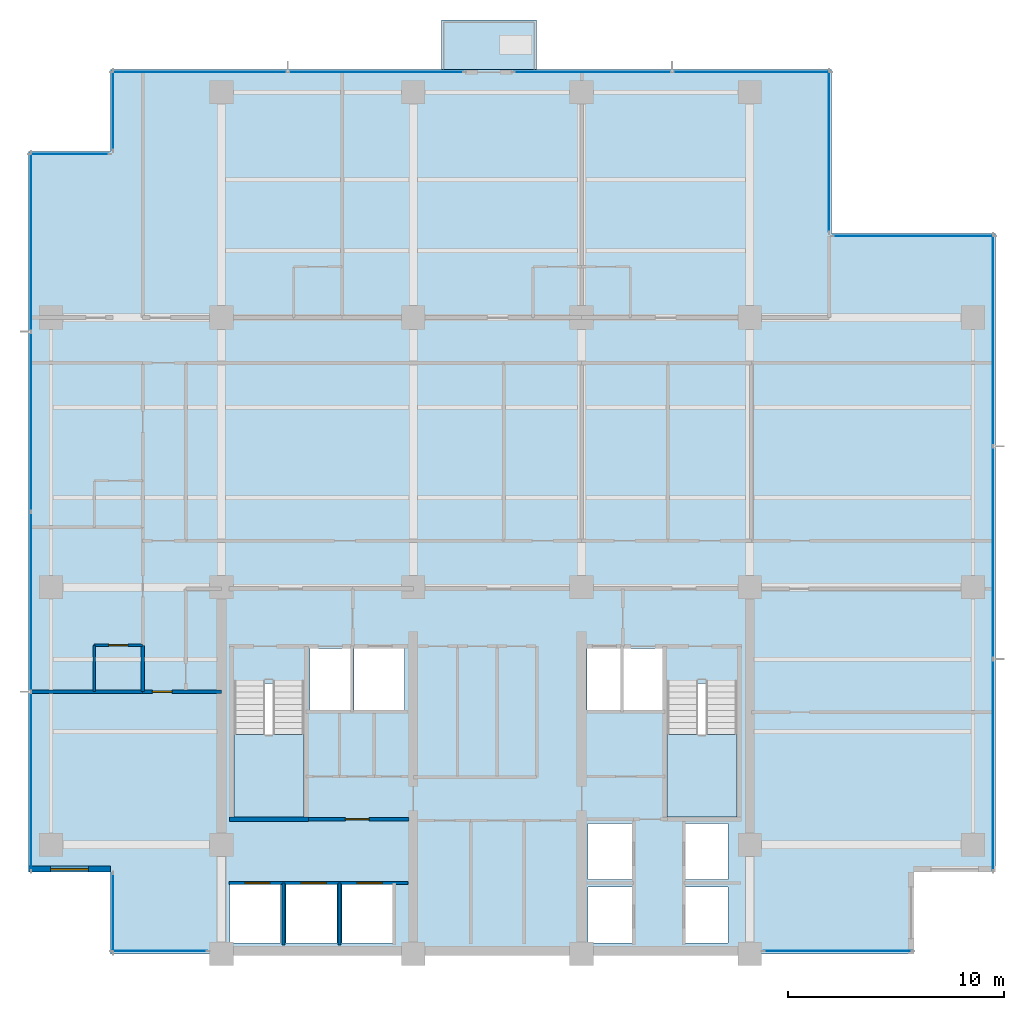
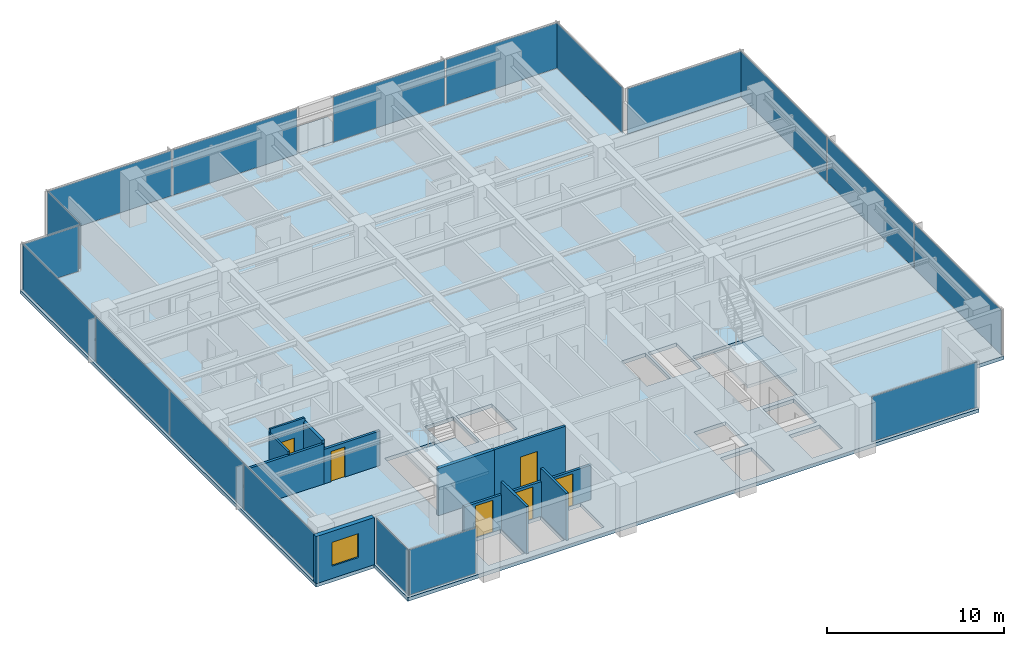
# One storey, part 6 of 15: 18 plates, 11 walls, 6 doors, 4 slabs, 1 window, 7 openings, 13 elements without a shape of their own.
"""IFC4 building model written with IfcOpenShell, lengths in metres."""

from ifc_helpers import new_model, si_unit, direction, frame, frame_2d, origin, origin_2d, place, context, subcontext, project, spatial, polyline, rectangle, outline, extrude, material, layer, layer_set, type_object, element, fill, aggregate, save


model = new_model("IFC4")

# Units and contexts
model_context = context("Model", 3, precision=1e-05, world=origin(), true_north=direction((0.0, 1.0)))
body_context = subcontext(model_context, "Body", "Model", "MODEL_VIEW")
ifc_project = project(units=[si_unit("LENGTHUNIT", "METRE"), si_unit("AREAUNIT", "SQUARE_METRE"), si_unit("VOLUMEUNIT", "CUBIC_METRE"), si_unit("PLANEANGLEUNIT", "RADIAN"), si_unit("MASSUNIT", "GRAM", prefix="KILO")], contexts=[model_context])

# Site, building, storey
site_placement = place(None, origin())
site = spatial("IfcSite", under=ifc_project, at=site_placement, CompositionType="ELEMENT")
building_placement = place(site_placement, origin())
building = spatial("IfcBuilding", under=site, at=building_placement, Name="Qalmaran Belvedere Hotel", CompositionType="ELEMENT")
storey_placement = place(building_placement, frame((0.0, 0.0, 159.60009765625)))
storey = spatial("IfcBuildingStorey", under=building, at=storey_placement, Name="L40", CompositionType="ELEMENT", Elevation=159.60009765625)

# Curtain wall, plate
ifc_material_1 = material(Name="Anodised Bronze Aluminium", Category="aluminium")
ifc_layer_1 = layer(ifc_material_1, 0.195068359375, Name="Anodised Bronze Aluminium")
ifc_layer_set_1 = layer_set([ifc_layer_1], Name="Anodised Bronze Aluminium")
curtain_wall_type = type_object("IfcCurtainWallType", Name="CW4-TOWER-HIGHMID", PredefinedType="NOTDEFINED", material=ifc_layer_set_1)
curtain_wall_1_placement = place(storey_placement, origin())
curtain_wall_1 = element("IfcCurtainWall", 1, at=curtain_wall_1_placement, inside=storey, type_object=curtain_wall_type, Name="L40 Curtain Wall CW4", PredefinedType="NOTDEFINED")
ifc_material_2 = material(Name="Solar-Control Double Glazing", Category="glass")
ifc_layer_2 = layer(ifc_material_2, 0.028076171875, Name="Solar-Control Double Glazing")
ifc_layer_set_2 = layer_set([ifc_layer_2], Name="Solar-Control Double Glazing")
plate_type = type_object("IfcPlateType", Name="CWP-VISION-28", PredefinedType="CURTAIN_PANEL", material=ifc_layer_set_2)
plate_1_placement = place(storey_placement, frame((17.429931640625, 3.6201171875, 0.06494140625), z_axis=(0.0, 0.0, 1.0), x_axis=(1.0, 0.0, 0.0)))
plate_1 = element("IfcPlate", 2, at=plate_1_placement, type_object=plate_type, Name="CW4 panel 1.1", PredefinedType="CURTAIN_PANEL", context=body_context, shape_type="SweptSolid", body=[
    extrude(rectangle(XDim=4.419921875, YDim=0.028076171875, at=origin_2d()), origin(), (0.0, 0.0, 1.0), 3.1201171875),
])
aggregate(curtain_wall_1, [plate_1])

curtain_wall_2_placement = place(storey_placement, origin())
curtain_wall_2 = element("IfcCurtainWall", 3, at=curtain_wall_2_placement, inside=storey, type_object=curtain_wall_type, Name="L40 Curtain Wall CW4", PredefinedType="NOTDEFINED")
plate_2_placement = place(storey_placement, frame((48.89501953125, 3.6201171875, 0.06494140625), z_axis=(0.0, 0.0, 1.0), x_axis=(1.0, 0.0, 0.0)))
plate_2 = element("IfcPlate", 4, at=plate_2_placement, type_object=plate_type, Name="CW4 panel 1.1", PredefinedType="CURTAIN_PANEL", context=body_context, shape_type="SweptSolid", body=[
    extrude(rectangle(XDim=6.8701171875, YDim=0.028076171875, at=origin_2d()), origin(), (0.0, 0.0, 1.0), 3.1201171875),
])
aggregate(curtain_wall_2, [plate_2])

# Curtain wall, plates
curtain_wall_3_placement = place(storey_placement, origin())
curtain_wall_3 = element("IfcCurtainWall", 5, at=curtain_wall_3_placement, inside=storey, type_object=curtain_wall_type, Name="L40 Curtain Wall CW4", PredefinedType="NOTDEFINED")
plate_3_placement = place(storey_placement, frame((56.080078125, 12.250732421875, 0.06494140625), z_axis=(0.0, 0.0, 1.0), x_axis=(0.0, 1.0, 0.0)))
plate_3 = element("IfcPlate", 6, at=plate_3_placement, type_object=plate_type, Name="CW4 panel 1.1", PredefinedType="CURTAIN_PANEL", context=body_context, shape_type="SweptSolid", body=[
    extrude(rectangle(XDim=9.76171875, YDim=0.028076171875, at=origin_2d()), origin(), (0.0, 0.0, 1.0), 3.1201171875),
])
plate_4_placement = place(storey_placement, frame((56.080078125, 22.10009765625, 0.06494140625), z_axis=(0.0, 0.0, 1.0), x_axis=(0.0, 1.0, 0.0)))
plate_4 = element("IfcPlate", 7, at=plate_4_placement, type_object=plate_type, Name="CW4 panel 2.1", PredefinedType="CURTAIN_PANEL", context=body_context, shape_type="SweptSolid", body=[
    extrude(rectangle(XDim=9.796630859375, YDim=0.028076171875, at=origin_2d()), origin(), (0.0, 0.0, 1.0), 3.1201171875),
])
plate_5_placement = place(storey_placement, frame((56.080078125, 31.94921875, 0.06494140625), z_axis=(0.0, 0.0, 1.0), x_axis=(0.0, 1.0, 0.0)))
plate_5 = element("IfcPlate", 8, at=plate_5_placement, type_object=plate_type, Name="CW4 panel 3.1", PredefinedType="CURTAIN_PANEL", context=body_context, shape_type="SweptSolid", body=[
    extrude(rectangle(XDim=9.76171875, YDim=0.028076171875, at=origin_2d()), origin(), (0.0, 0.0, 1.0), 3.1201171875),
])
aggregate(curtain_wall_3, [plate_3, plate_4, plate_5])

# Curtain wall, plate
curtain_wall_4_placement = place(storey_placement, origin())
curtain_wall_4 = element("IfcCurtainWall", 9, at=curtain_wall_4_placement, inside=storey, type_object=curtain_wall_type, Name="L40 Curtain Wall CW4", PredefinedType="NOTDEFINED")
plate_6_placement = place(storey_placement, frame((52.39990234375, 36.780029296875, 0.06494140625), z_axis=(0.0, 0.0, 1.0), x_axis=(-1.0, 0.0, 0.0)))
plate_6 = element("IfcPlate", 10, at=plate_6_placement, type_object=plate_type, Name="CW4 panel 1.1", PredefinedType="CURTAIN_PANEL", context=body_context, shape_type="SweptSolid", body=[
    extrude(rectangle(XDim=7.4599609375, YDim=0.028076171875, at=origin_2d()), origin(), (0.0, 0.0, 1.0), 3.1201171875),
])
aggregate(curtain_wall_4, [plate_6])

curtain_wall_5_placement = place(storey_placement, origin())
curtain_wall_5 = element("IfcCurtainWall", 11, at=curtain_wall_5_placement, inside=storey, type_object=curtain_wall_type, Name="L40 Curtain Wall CW4", PredefinedType="NOTDEFINED")
plate_7_placement = place(storey_placement, frame((48.47998046875, 40.699951171875, 0.06494140625), z_axis=(0.0, 0.0, 1.0), x_axis=(0.0, 1.0, 0.0)))
plate_7 = element("IfcPlate", 12, at=plate_7_placement, type_object=plate_type, Name="CW4 panel 1.1", PredefinedType="CURTAIN_PANEL", context=body_context, shape_type="SweptSolid", body=[
    extrude(rectangle(XDim=7.4599609375, YDim=0.028076171875, at=origin_2d()), origin(), (0.0, 0.0, 1.0), 3.1201171875),
])
aggregate(curtain_wall_5, [plate_7])

# Curtain wall, plates
curtain_wall_6_placement = place(storey_placement, origin())
curtain_wall_6 = element("IfcCurtainWall", 13, at=curtain_wall_6_placement, inside=storey, type_object=curtain_wall_type, Name="L40 Curtain Wall CW4", PredefinedType="NOTDEFINED")
plate_8_placement = place(storey_placement, frame((27.469970703125, 44.3798828125, 0.06494140625), z_axis=(0.0, 0.0, 1.0), x_axis=(-1.0, 0.0, 0.0)))
plate_8 = element("IfcPlate", 14, at=plate_8_placement, type_object=plate_type, Name="CW4 panel 1.1", PredefinedType="CURTAIN_PANEL", context=body_context, shape_type="SweptSolid", body=[
    extrude(rectangle(XDim=8.1201171875, YDim=0.028076171875, at=origin_2d()), origin(), (0.0, 0.0, 1.0), 3.1201171875),
])
plate_9_placement = place(storey_placement, frame((19.280029296875, 44.3798828125, 0.06494140625), z_axis=(0.0, 0.0, 1.0), x_axis=(-1.0, 0.0, 0.0)))
plate_9 = element("IfcPlate", 15, at=plate_9_placement, type_object=plate_type, Name="CW4 panel 2.1", PredefinedType="CURTAIN_PANEL", context=body_context, shape_type="SweptSolid", body=[
    extrude(rectangle(XDim=8.1201171875, YDim=0.028076171875, at=origin_2d()), origin(), (0.0, 0.0, 1.0), 3.1201171875),
])
aggregate(curtain_wall_6, [plate_8, plate_9])

curtain_wall_7_placement = place(storey_placement, origin())
curtain_wall_7 = element("IfcCurtainWall", 16, at=curtain_wall_7_placement, inside=storey, type_object=curtain_wall_type, Name="L40 Curtain Wall CW4", PredefinedType="NOTDEFINED")
plate_10_placement = place(storey_placement, frame((44.882568359375, 44.3798828125, 0.06494140625), z_axis=(0.0, 0.0, 1.0), x_axis=(-1.0, 0.0, 0.0)))
plate_10 = element("IfcPlate", 17, at=plate_10_placement, type_object=plate_type, Name="CW4 panel 1.1", PredefinedType="CURTAIN_PANEL", context=body_context, shape_type="SweptSolid", body=[
    extrude(rectangle(XDim=7.294921875, YDim=0.028076171875, at=origin_2d()), origin(), (0.0, 0.0, 1.0), 3.1201171875),
])
plate_11_placement = place(storey_placement, frame((37.517578125, 44.3798828125, 0.06494140625), z_axis=(0.0, 0.0, 1.0), x_axis=(-1.0, 0.0, 0.0)))
plate_11 = element("IfcPlate", 18, at=plate_11_placement, type_object=plate_type, Name="CW4 panel 2.1", PredefinedType="CURTAIN_PANEL", context=body_context, shape_type="SweptSolid", body=[
    extrude(rectangle(XDim=7.294921875, YDim=0.028076171875, at=origin_2d()), origin(), (0.0, 0.0, 1.0), 3.1201171875),
])
aggregate(curtain_wall_7, [plate_10, plate_11])

# Curtain wall, plate
curtain_wall_8_placement = place(storey_placement, origin())
curtain_wall_8 = element("IfcCurtainWall", 19, at=curtain_wall_8_placement, inside=storey, type_object=curtain_wall_type, Name="L40 Curtain Wall CW4", PredefinedType="NOTDEFINED")
plate_12_placement = place(storey_placement, frame((15.27001953125, 42.60009765625, 0.06494140625), z_axis=(0.0, 0.0, 1.0), x_axis=(0.0, -1.0, 0.0)))
plate_12 = element("IfcPlate", 20, at=plate_12_placement, type_object=plate_type, Name="CW4 panel 1.1", PredefinedType="CURTAIN_PANEL", context=body_context, shape_type="SweptSolid", body=[
    extrude(rectangle(XDim=3.659912109375, YDim=0.028076171875, at=origin_2d()), origin(), (0.0, 0.0, 1.0), 3.1201171875),
])
aggregate(curtain_wall_8, [plate_12])

curtain_wall_9_placement = place(storey_placement, origin())
curtain_wall_9 = element("IfcCurtainWall", 21, at=curtain_wall_9_placement, inside=storey, type_object=curtain_wall_type, Name="L40 Curtain Wall CW4", PredefinedType="NOTDEFINED")
plate_13_placement = place(storey_placement, frame((13.25, 40.580078125, 0.06494140625), z_axis=(0.0, 0.0, 1.0), x_axis=(-1.0, 0.0, 0.0)))
plate_13 = element("IfcPlate", 22, at=plate_13_placement, type_object=plate_type, Name="CW4 panel 1.1", PredefinedType="CURTAIN_PANEL", context=body_context, shape_type="SweptSolid", body=[
    extrude(rectangle(XDim=3.659912109375, YDim=0.028076171875, at=origin_2d()), origin(), (0.0, 0.0, 1.0), 3.1201171875),
])
aggregate(curtain_wall_9, [plate_13])

# Curtain wall, plates
curtain_wall_10_placement = place(storey_placement, origin())
curtain_wall_10 = element("IfcCurtainWall", 23, at=curtain_wall_10_placement, inside=storey, type_object=curtain_wall_type, Name="L40 Curtain Wall CW4", PredefinedType="NOTDEFINED")
plate_14_placement = place(storey_placement, frame((11.469970703125, 36.507568359375, 0.06494140625), z_axis=(0.0, 0.0, 1.0), x_axis=(0.0, -1.0, 0.0)))
plate_14 = element("IfcPlate", 24, at=plate_14_placement, type_object=plate_type, Name="CW4 panel 1.1", PredefinedType="CURTAIN_PANEL", context=body_context, shape_type="SweptSolid", body=[
    extrude(rectangle(XDim=8.2451171875, YDim=0.028076171875, at=origin_2d()), origin(), (0.0, 0.0, 1.0), 3.1201171875),
])
plate_15_placement = place(storey_placement, frame((11.469970703125, 28.175048828125, 0.06494140625), z_axis=(0.0, 0.0, 1.0), x_axis=(0.0, -1.0, 0.0)))
plate_15 = element("IfcPlate", 25, at=plate_15_placement, type_object=plate_type, Name="CW4 panel 2.1", PredefinedType="CURTAIN_PANEL", context=body_context, shape_type="SweptSolid", body=[
    extrude(rectangle(XDim=8.280029296875, YDim=0.028076171875, at=origin_2d()), origin(), (0.0, 0.0, 1.0), 3.1201171875),
])
plate_16_placement = place(storey_placement, frame((11.469970703125, 19.824951171875, 0.06494140625), z_axis=(0.0, 0.0, 1.0), x_axis=(0.0, -1.0, 0.0)))
plate_16 = element("IfcPlate", 26, at=plate_16_placement, type_object=plate_type, Name="CW4 panel 3.1", PredefinedType="CURTAIN_PANEL", context=body_context, shape_type="SweptSolid", body=[
    extrude(rectangle(XDim=8.280029296875, YDim=0.028076171875, at=origin_2d()), origin(), (0.0, 0.0, 1.0), 3.1201171875),
])
plate_17_placement = place(storey_placement, frame((11.469970703125, 11.492431640625, 0.06494140625), z_axis=(0.0, 0.0, 1.0), x_axis=(0.0, -1.0, 0.0)))
plate_17 = element("IfcPlate", 27, at=plate_17_placement, type_object=plate_type, Name="CW4 panel 4.1", PredefinedType="CURTAIN_PANEL", context=body_context, shape_type="SweptSolid", body=[
    extrude(rectangle(XDim=8.2451171875, YDim=0.028076171875, at=origin_2d()), origin(), (0.0, 0.0, 1.0), 3.1201171875),
])
aggregate(curtain_wall_10, [plate_14, plate_15, plate_16, plate_17])

# Curtain wall, plate
curtain_wall_11_placement = place(storey_placement, origin())
curtain_wall_11 = element("IfcCurtainWall", 28, at=curtain_wall_11_placement, inside=storey, type_object=curtain_wall_type, Name="L40 Curtain Wall CW4", PredefinedType="NOTDEFINED")
plate_18_placement = place(storey_placement, frame((15.27001953125, 5.39990234375, 0.06494140625), z_axis=(0.0, 0.0, 1.0), x_axis=(0.0, -1.0, 0.0)))
plate_18 = element("IfcPlate", 29, at=plate_18_placement, type_object=plate_type, Name="CW4 panel 1.1", PredefinedType="CURTAIN_PANEL", context=body_context, shape_type="SweptSolid", body=[
    extrude(rectangle(XDim=3.659912109375, YDim=0.028076171875, at=origin_2d()), origin(), (0.0, 0.0, 1.0), 3.1201171875),
])
aggregate(curtain_wall_11, [plate_18])

# Slab
ifc_material_3 = material(Name="Concrete C40/50", Category="concrete")
ifc_layer_3 = layer(ifc_material_3, 0.219970703125, Name="Concrete C40/50")
ifc_layer_set_3 = layer_set([ifc_layer_3], Name="Concrete C40/50")
slab_type_1 = type_object("IfcSlabType", Name="SLB-BAL-220", PredefinedType="USERDEFINED", material=ifc_layer_set_3)
slab_1_placement = place(storey_placement, frame((0.0, 0.0, -0.22021484375)))
element("IfcSlab", 30, at=slab_1_placement, inside=storey, type_object=slab_type_1, Name="L40 Planted Tree Balcony Slab 1", ObjectType="BALCONY", PredefinedType="USERDEFINED", context=body_context, shape_type="SweptSolid", body=[
    extrude(outline(polyline([(30.5, 44.5), (34.89990234375, 44.5), (34.89990234375, 46.800048828125), (30.5, 46.800048828125), (30.5, 44.5)])), origin(), (0.0, 0.0, 1.0), 0.22021484375),
])

# Stair, slab
stair_type_1 = type_object("IfcStairType", Name="STR-ST-1-1450-R1750", PredefinedType="HALF_TURN_STAIR", material=ifc_material_3)
stair_1_placement = place(storey_placement, origin())
stair_1 = element("IfcStair", 31, at=stair_1_placement, inside=storey, type_object=stair_type_1, Name="L40 West Core Exit Stair ST-1", PredefinedType="HALF_TURN_STAIR")
ifc_layer_4 = layer(ifc_material_3, 0.199951171875, Name="Concrete C40/50")
ifc_layer_set_4 = layer_set([ifc_layer_4], Name="Concrete C40/50")
slab_type_2 = type_object("IfcSlabType", Name="SLB-STAIR-LANDING-200", PredefinedType="LANDING", material=ifc_layer_set_4)
slab_2_placement = place(storey_placement, frame((0.0, 0.0, 1.5498046875)))
slab_2 = element("IfcSlab", 32, at=slab_2_placement, type_object=slab_type_2, Name="ST-1 landing 1", PredefinedType="LANDING", context=body_context, shape_type="SweptSolid", body=[
    extrude(outline(polyline([(20.8798828125, 13.669921875), (20.8798828125, 9.85009765625), (24.1201171875, 9.85009765625), (24.1201171875, 13.669921875), (20.8798828125, 13.669921875)])), origin(), (0.0, 0.0, 1.0), 0.2001953125),
])
aggregate(stair_1, [slab_2])

stair_type_2 = type_object("IfcStairType", Name="STR-ST-2-1450-R1750", PredefinedType="HALF_TURN_STAIR", material=ifc_material_3)
stair_2_placement = place(storey_placement, origin())
stair_2 = element("IfcStair", 33, at=stair_2_placement, inside=storey, type_object=stair_type_2, Name="L40 East Core Exit Stair ST-2", PredefinedType="HALF_TURN_STAIR")
slab_3_placement = place(storey_placement, frame((0.0, 0.0, 1.5498046875)))
slab_3 = element("IfcSlab", 34, at=slab_3_placement, type_object=slab_type_2, Name="ST-2 landing 1", PredefinedType="LANDING", context=body_context, shape_type="SweptSolid", body=[
    extrude(outline(polyline([(40.9599609375, 13.669921875), (40.9599609375, 9.85009765625), (44.199951171875, 9.85009765625), (44.199951171875, 13.669921875), (40.9599609375, 13.669921875)])), origin(), (0.0, 0.0, 1.0), 0.2001953125),
])
aggregate(stair_2, [slab_3])

# Slab
ifc_layer_5 = layer(ifc_material_3, 0.25, Name="Concrete C40/50")
ifc_layer_set_5 = layer_set([ifc_layer_5], Name="Concrete C40/50")
slab_type_3 = type_object("IfcSlabType", Name="SLB-Z3-250", PredefinedType="FLOOR", material=ifc_layer_set_5)
slab_4_placement = place(storey_placement, frame((0.0, 0.0, -0.25)))
element("IfcSlab", 35, at=slab_4_placement, inside=storey, type_object=slab_type_3, Name="L40 Structural Floor Slab", PredefinedType="FLOOR", context=body_context, shape_type="SweptSolid", body=[
    extrude(outline(polyline([(15.14990234375, 3.5), (52.39990234375, 3.5), (52.39990234375, 7.300048828125), (56.199951171875, 7.300048828125), (56.199951171875, 36.89990234375), (48.60009765625, 36.89990234375), (48.60009765625, 44.5), (15.14990234375, 44.5), (15.14990234375, 40.699951171875), (11.35009765625, 40.699951171875), (11.35009765625, 7.300048828125), (15.14990234375, 7.300048828125), (15.14990234375, 3.5)]), holes=[polyline([(20.8798828125, 9.85009765625), (24.1201171875, 9.85009765625), (24.1201171875, 16.0400390625), (20.8798828125, 16.0400390625), (20.8798828125, 9.85009765625)]), polyline([(40.9599609375, 9.85009765625), (44.199951171875, 9.85009765625), (44.199951171875, 16.0400390625), (40.9599609375, 16.0400390625), (40.9599609375, 9.85009765625)]), polyline([(37.300048828125, 4.0), (39.35009765625, 4.0), (39.35009765625, 6.60009765625), (37.300048828125, 6.60009765625), (37.300048828125, 4.0)]), polyline([(37.300048828125, 6.949951171875), (39.35009765625, 6.949951171875), (39.35009765625, 9.550048828125), (37.300048828125, 9.550048828125), (37.300048828125, 6.949951171875)]), polyline([(41.800048828125, 4.0), (43.800048828125, 4.0), (43.800048828125, 6.60009765625), (41.800048828125, 6.60009765625), (41.800048828125, 4.0)]), polyline([(41.800048828125, 6.949951171875), (43.800048828125, 6.949951171875), (43.800048828125, 9.550048828125), (41.800048828125, 9.550048828125), (41.800048828125, 6.949951171875)]), polyline([(20.699951171875, 4.0), (23.050048828125, 4.0), (23.050048828125, 6.699951171875), (20.699951171875, 6.699951171875), (20.699951171875, 4.0)]), polyline([(23.300048828125, 4.0), (25.64990234375, 4.0), (25.64990234375, 6.699951171875), (23.300048828125, 6.699951171875), (23.300048828125, 4.0)]), polyline([(25.89990234375, 4.0), (28.25, 4.0), (28.25, 6.699951171875), (25.89990234375, 6.699951171875), (25.89990234375, 4.0)]), polyline([(24.39990234375, 14.800048828125), (26.300048828125, 14.800048828125), (26.300048828125, 17.64990234375), (24.39990234375, 17.64990234375), (24.39990234375, 14.800048828125)]), polyline([(38.949951171875, 14.800048828125), (40.820068359375, 14.800048828125), (40.820068359375, 17.64990234375), (38.949951171875, 17.64990234375), (38.949951171875, 14.800048828125)]), polyline([(26.449951171875, 14.800048828125), (28.800048828125, 14.800048828125), (28.800048828125, 17.64990234375), (26.449951171875, 17.64990234375), (26.449951171875, 14.800048828125)]), polyline([(37.25, 14.800048828125), (38.800048828125, 14.800048828125), (38.800048828125, 17.64990234375), (37.25, 17.64990234375), (37.25, 14.800048828125)])]), origin(), (0.0, 0.0, 1.0), 0.25),
])

# Wall, opening, window
ifc_material_4 = material(Name="Anodised Bronze Cladding")
ifc_layer_6 = layer(ifc_material_4, 0.280029296875, Name="Anodised Bronze Cladding")
ifc_layer_set_6 = layer_set([ifc_layer_6], Name="Anodised Bronze Cladding")
wall_type_1 = type_object("IfcWallType", Name="WL-EXT-BRNZ-280", PredefinedType="SOLIDWALL", material=ifc_layer_set_6)
wall_1_placement = place(storey_placement, frame((11.35009765625, 7.419921875, 0.0), z_axis=(0.0, 0.0, 1.0), x_axis=(1.0, 0.0, 0.0)))
wall_1 = element("IfcWall", 36, at=wall_1_placement, inside=storey, type_object=wall_type_1, Name="L40 Corner Notch Wall 10", PredefinedType="SOLIDWALL", context=body_context, shape_type="SweptSolid", body=[
    extrude(rectangle(XDim=3.7998046875, YDim=0.280029296875, at=frame_2d((1.89990234375, 0.0))), origin(), (0.0, 0.0, 1.0), 3.25),
])
opening_1_placement = place(wall_1_placement, frame((1.02490234375, 0.0, 0.85009765625)))
opening_1 = element("IfcOpeningElement", 37, at=opening_1_placement, cuts=wall_1, Name="Opening W-N17", PredefinedType="OPENING", context=body_context, shape_type="SweptSolid", body=[
    extrude(rectangle(XDim=1.75, YDim=1.64990234375, at=frame_2d((0.875, 0.824951171875))), frame((0.0, 0.14990234375, 0.0), z_axis=(0.0, -1.0, 0.0), x_axis=(1.0, 0.0, 0.0)), (0.0, 0.0, 1.0), 0.300048828125),
])
window_type = type_object("IfcWindowType", Name="WN-NTC-1750X1650", PartitioningType="SINGLE_PANEL", PredefinedType="WINDOW", material=ifc_material_2)
window_placement = place(opening_1_placement, origin())
window = element("IfcWindow", 38, at=window_placement, inside=storey, type_object=window_type, Name="L40 Corner Notch Window 10", OverallHeight=1.64990234375, OverallWidth=1.75, PartitioningType="SINGLE_PANEL", PredefinedType="WINDOW", context=body_context, shape_type="SweptSolid", body=[
    extrude(rectangle(XDim=1.75, YDim=1.64990234375, at=frame_2d((0.875, 0.824951171875))), frame((0.0, 0.030029296875, 0.0), z_axis=(0.0, -1.0, 0.0), x_axis=(1.0, 0.0, 0.0)), (0.0, 0.0, 1.0), 0.06005859375),
])
fill(opening_1, window)

# Wall, opening, door
ifc_material_5 = material(Name="Moisture-Resistant Gypsum")
ifc_layer_7 = layer(ifc_material_5, 0.1201171875, Name="Moisture-Resistant Gypsum")
ifc_layer_set_7 = layer_set([ifc_layer_7], Name="Moisture-Resistant Gypsum")
wall_type_2 = type_object("IfcWallType", Name="WL-INT-120-BATH", PredefinedType="PARTITIONING", material=ifc_layer_set_7)
wall_2_placement = place(storey_placement, frame((14.39990234375, 17.800048828125, 0.0), z_axis=(0.0, 0.0, 1.0), x_axis=(1.0, 0.0, 0.0)))
wall_2 = element("IfcWall", 39, at=wall_2_placement, inside=storey, type_object=wall_type_2, Name="L40 Partition WL-L40-WBN00", PredefinedType="PARTITIONING", context=body_context, shape_type="SweptSolid", body=[
    extrude(rectangle(XDim=2.25, YDim=0.1201171875, at=frame_2d((1.125, 0.0))), origin(), (0.0, 0.0, 1.0), 3.25),
])
opening_2_placement = place(wall_2_placement, frame((1.56494140625, 0.0, 0.0), z_axis=(0.0, 0.0, 1.0), x_axis=(-1.0, 0.0, 0.0)))
opening_2 = element("IfcOpeningElement", 40, at=opening_2_placement, cuts=wall_2, Name="Opening D-BATH", PredefinedType="OPENING", context=body_context, shape_type="SweptSolid", body=[
    extrude(rectangle(XDim=0.8798828125, YDim=2.080078125, at=frame_2d((0.43994140625, 1.0400390625))), frame((0.0, 0.070068359375, 0.0), z_axis=(0.0, -1.0, 0.0), x_axis=(1.0, 0.0, 0.0)), (0.0, 0.0, 1.0), 0.14013671875),
])
ifc_material_6 = material(Name="Engineered Oak Veneer")
door_type_1 = type_object("IfcDoorType", Name="DR-INT-BATH-880X2080", OperationType="NOTDEFINED", PredefinedType="DOOR", material=ifc_material_6)
door_1_placement = place(opening_2_placement, origin())
door_1 = element("IfcDoor", 41, at=door_1_placement, inside=storey, type_object=door_type_1, Name="L40 W Ensuite Door 01", OperationType="SINGLE_SWING_RIGHT", OverallHeight=2.080078125, OverallWidth=0.8798828125, PredefinedType="DOOR", context=body_context, shape_type="SweptSolid", body=[
    extrude(rectangle(XDim=0.8798828125, YDim=2.080078125, at=frame_2d((0.43994140625, 1.0400390625))), frame((0.0, 0.02490234375, 0.0), z_axis=(0.0, -1.0, 0.0), x_axis=(1.0, 0.0, 0.0)), (0.0, 0.0, 1.0), 0.050048828125),
])
fill(opening_2, door_1)

# Walls
wall_3_placement = place(storey_placement, frame((14.39990234375, 15.64990234375, 0.0), z_axis=(0.0, 0.0, 1.0), x_axis=(0.0, 1.0, 0.0)))
element("IfcWall", 42, at=wall_3_placement, inside=storey, type_object=wall_type_2, Name="L40 Partition WL-L40-WBS00", PredefinedType="PARTITIONING", context=body_context, shape_type="SweptSolid", body=[
    extrude(rectangle(XDim=2.150146484375, YDim=0.1201171875, at=frame_2d((1.0751953125, 0.0))), origin(), (0.0, 0.0, 1.0), 2.98779296875),
])
ifc_material_7 = material(Name="Gypsum Stud Partition")
ifc_layer_8 = layer(ifc_material_7, 0.14990234375, Name="Gypsum Stud Partition")
ifc_layer_set_8 = layer_set([ifc_layer_8], Name="Gypsum Stud Partition")
wall_type_3 = type_object("IfcWallType", Name="WL-INT-150-EI120", PredefinedType="PARTITIONING", material=ifc_layer_set_8)
for number, where, z_axis, x_axis, name in (
    (43, (23.179931640625, 3.89990234375, 0.0), (0.0, 0.0, 1.0), (0.0, 1.0, 0.0), "L40 Partition WL-POM1-L40"),
    (44, (25.780029296875, 3.89990234375, 0.0), (0.0, 0.0, 1.0), (0.0, 1.0, 0.0), "L40 Partition WL-POM2-L40"),
):
    element("IfcWall", number, at=place(storey_placement, frame(where, z_axis=z_axis, x_axis=x_axis)), inside=storey, type_object=wall_type_3, Name=name, PredefinedType="PARTITIONING", context=body_context, shape_type="SweptSolid", body=[
        extrude(rectangle(XDim=2.880126953125, YDim=0.14990234375, at=frame_2d((1.43994140625, 0.0))), origin(), (0.0, 0.0, 1.0), 3.25),
    ])

# Wall, openings, doors
ifc_layer_9 = layer(ifc_material_7, 0.159912109375, Name="Gypsum Stud Partition")
ifc_layer_set_9 = layer_set([ifc_layer_9], Name="Gypsum Stud Partition")
wall_type_4 = type_object("IfcWallType", Name="WL-INT-160-EI120", PredefinedType="PARTITIONING", material=ifc_layer_set_9)
wall_4_placement = place(storey_placement, frame((20.64990234375, 6.780029296875, 0.0), z_axis=(0.0, 0.0, 1.0), x_axis=(1.0, 0.0, 0.0)))
wall_4 = element("IfcWall", 45, at=wall_4_placement, inside=storey, type_object=wall_type_4, Name="L40 Partition WL-POS-L40", PredefinedType="PARTITIONING", context=body_context, shape_type="SweptSolid", body=[
    extrude(rectangle(XDim=8.300048828125, YDim=0.159912109375, at=frame_2d((4.14990234375, 0.0))), origin(), (0.0, 0.0, 1.0), 2.3798828125),
])
opening_3_placement = place(wall_4_placement, frame((0.75, 0.0, 0.0)))
opening_3 = element("IfcOpeningElement", 46, at=opening_3_placement, cuts=wall_4, Name="Opening LD-PO", PredefinedType="OPENING", context=body_context, shape_type="SweptSolid", body=[
    extrude(rectangle(XDim=1.14990234375, YDim=2.199951171875, at=frame_2d((0.574951171875, 1.10009765625))), frame((0.0, 0.08984375, 0.0), z_axis=(0.0, -1.0, 0.0), x_axis=(1.0, 0.0, 0.0)), (0.0, 0.0, 1.0), 0.179931640625),
])
opening_4_placement = place(wall_4_placement, frame((3.35009765625, 0.0, 0.0)))
opening_4 = element("IfcOpeningElement", 47, at=opening_4_placement, cuts=wall_4, Name="Opening LD-PO", PredefinedType="OPENING", context=body_context, shape_type="SweptSolid", body=[
    extrude(rectangle(XDim=1.14990234375, YDim=2.199951171875, at=frame_2d((0.574951171875, 1.10009765625))), frame((0.0, 0.08984375, 0.0), z_axis=(0.0, -1.0, 0.0), x_axis=(1.0, 0.0, 0.0)), (0.0, 0.0, 1.0), 0.179931640625),
])
opening_5_placement = place(wall_4_placement, frame((5.949951171875, 0.0, 0.0)))
opening_5 = element("IfcOpeningElement", 48, at=opening_5_placement, cuts=wall_4, Name="Opening LD-PO", PredefinedType="OPENING", context=body_context, shape_type="SweptSolid", body=[
    extrude(rectangle(XDim=1.14990234375, YDim=2.199951171875, at=frame_2d((0.574951171875, 1.10009765625))), frame((0.0, 0.08984375, 0.0), z_axis=(0.0, -1.0, 0.0), x_axis=(1.0, 0.0, 0.0)), (0.0, 0.0, 1.0), 0.179931640625),
])
door_type_2 = type_object("IfcDoorType", Name="DR-LIFT-PO-1150X2200", OperationType="DOUBLE_DOOR_SLIDING", PredefinedType="DOOR", material=ifc_material_1)
door_2_placement = place(opening_3_placement, origin())
door_2 = element("IfcDoor", 49, at=door_2_placement, inside=storey, type_object=door_type_2, Name="L40 PO1 Shuttle Landing Door", OperationType="DOUBLE_DOOR_SLIDING", OverallHeight=2.199951171875, OverallWidth=1.14990234375, PredefinedType="DOOR", context=body_context, shape_type="SweptSolid", body=[
    extrude(rectangle(XDim=1.14990234375, YDim=2.199951171875, at=frame_2d((0.574951171875, 1.10009765625))), frame((0.0, 0.02490234375, 0.0), z_axis=(0.0, -1.0, 0.0), x_axis=(1.0, 0.0, 0.0)), (0.0, 0.0, 1.0), 0.050048828125),
])
fill(opening_3, door_2)
door_3_placement = place(opening_4_placement, origin())
door_3 = element("IfcDoor", 50, at=door_3_placement, inside=storey, type_object=door_type_2, Name="L40 PO2 Shuttle Landing Door", OperationType="DOUBLE_DOOR_SLIDING", OverallHeight=2.199951171875, OverallWidth=1.14990234375, PredefinedType="DOOR", context=body_context, shape_type="SweptSolid", body=[
    extrude(rectangle(XDim=1.14990234375, YDim=2.199951171875, at=frame_2d((0.574951171875, 1.10009765625))), frame((0.0, 0.02490234375, 0.0), z_axis=(0.0, -1.0, 0.0), x_axis=(1.0, 0.0, 0.0)), (0.0, 0.0, 1.0), 0.050048828125),
])
fill(opening_4, door_3)
door_4_placement = place(opening_5_placement, origin())
door_4 = element("IfcDoor", 51, at=door_4_placement, inside=storey, type_object=door_type_2, Name="L40 PO3 Shuttle Landing Door", OperationType="DOUBLE_DOOR_SLIDING", OverallHeight=2.199951171875, OverallWidth=1.14990234375, PredefinedType="DOOR", context=body_context, shape_type="SweptSolid", body=[
    extrude(rectangle(XDim=1.14990234375, YDim=2.199951171875, at=frame_2d((0.574951171875, 1.10009765625))), frame((0.0, 0.02490234375, 0.0), z_axis=(0.0, -1.0, 0.0), x_axis=(1.0, 0.0, 0.0)), (0.0, 0.0, 1.0), 0.050048828125),
])
fill(opening_5, door_4)

# Wall, opening, door
wall_5_placement = place(storey_placement, frame((24.199951171875, 9.739990234375, 0.0), z_axis=(0.0, 0.0, 1.0), x_axis=(1.0, 0.0, 0.0)))
wall_5 = element("IfcWall", 52, at=wall_5_placement, inside=storey, type_object=wall_type_4, Name="L40 Partition WL-PON-L40", PredefinedType="PARTITIONING", context=body_context, shape_type="SweptSolid", body=[
    extrude(rectangle(XDim=4.800048828125, YDim=0.159912109375, at=frame_2d((2.39990234375, 0.0))), origin(), (0.0, 0.0, 1.0), 3.25),
])
opening_6_placement = place(wall_5_placement, frame((1.85009765625, 0.0, 0.0)))
opening_6 = element("IfcOpeningElement", 53, at=opening_6_placement, cuts=wall_5, Name="Opening FD90", PredefinedType="OPENING", context=body_context, shape_type="SweptSolid", body=[
    extrude(rectangle(XDim=1.10009765625, YDim=2.14990234375, at=frame_2d((0.550048828125, 1.074951171875))), frame((0.0, 0.08984375, 0.0), z_axis=(0.0, -1.0, 0.0), x_axis=(1.0, 0.0, 0.0)), (0.0, 0.0, 1.0), 0.179931640625),
])
ifc_material_8 = material(Name="Steel S355JR", Category="steel")
door_type_3 = type_object("IfcDoorType", Name="DR-FD90-1100X2150", OperationType="NOTDEFINED", PredefinedType="DOOR", material=ifc_material_8)
door_5_placement = place(opening_6_placement, origin())
door_5 = element("IfcDoor", 54, at=door_5_placement, inside=storey, type_object=door_type_3, Name="L40 Shuttle Lobby Passage Door", OperationType="SINGLE_SWING_LEFT", OverallHeight=2.14990234375, OverallWidth=1.10009765625, PredefinedType="DOOR", context=body_context, shape_type="SweptSolid", body=[
    extrude(rectangle(XDim=1.10009765625, YDim=2.14990234375, at=frame_2d((0.550048828125, 1.074951171875))), frame((0.0, 0.02490234375, 0.0), z_axis=(0.0, -1.0, 0.0), x_axis=(1.0, 0.0, 0.0)), (0.0, 0.0, 1.0), 0.050048828125),
])
fill(opening_6, door_5)

ifc_layer_10 = layer(ifc_material_7, 0.159912109375, Name="Gypsum Stud Partition")
ifc_layer_set_10 = layer_set([ifc_layer_10], Name="Gypsum Stud Partition")
wall_type_5 = type_object("IfcWallType", Name="WL-INT-160-EI60", PredefinedType="PARTITIONING", material=ifc_layer_set_10)
wall_6_placement = place(storey_placement, frame((16.64990234375, 15.64990234375, 0.0), z_axis=(0.0, 0.0, 1.0), x_axis=(1.0, 0.0, 0.0)))
wall_6 = element("IfcWall", 55, at=wall_6_placement, inside=storey, type_object=wall_type_5, Name="L40 Partition WL-L40-SWRL", PredefinedType="PARTITIONING", context=body_context, shape_type="SweptSolid", body=[
    extrude(rectangle(XDim=3.650146484375, YDim=0.159912109375, at=frame_2d((1.8251953125, 0.0))), origin(), (0.0, 0.0, 1.0), 2.3798828125),
])
opening_7_placement = place(wall_6_placement, frame((1.369873046875, 0.0, 0.0), z_axis=(0.0, 0.0, 1.0), x_axis=(-1.0, 0.0, 0.0)))
opening_7 = element("IfcOpeningElement", 56, at=opening_7_placement, cuts=wall_6, Name="Opening FD60S1", PredefinedType="OPENING", context=body_context, shape_type="SweptSolid", body=[
    extrude(rectangle(XDim=0.919921875, YDim=2.080078125, at=frame_2d((0.4599609375, 1.0400390625))), frame((0.0, 0.08984375, 0.0), z_axis=(0.0, -1.0, 0.0), x_axis=(1.0, 0.0, 0.0)), (0.0, 0.0, 1.0), 0.179931640625),
])
door_type_4 = type_object("IfcDoorType", Name="DR-FD60S-920X2080", OperationType="NOTDEFINED", PredefinedType="DOOR", material=ifc_material_6)
door_6_placement = place(opening_7_placement, origin())
door_6 = element("IfcDoor", 57, at=door_6_placement, inside=storey, type_object=door_type_4, Name="L40 SW Study Door", OperationType="SINGLE_SWING_RIGHT", OverallHeight=2.080078125, OverallWidth=0.919921875, PredefinedType="DOOR", context=body_context, shape_type="SweptSolid", body=[
    extrude(rectangle(XDim=0.919921875, YDim=2.080078125, at=frame_2d((0.4599609375, 1.0400390625))), frame((0.0, 0.02490234375, 0.0), z_axis=(0.0, -1.0, 0.0), x_axis=(1.0, 0.0, 0.0)), (0.0, 0.0, 1.0), 0.050048828125),
])
fill(opening_7, door_6)

# Walls
wall_7_placement = place(storey_placement, frame((11.469970703125, 15.64990234375, 0.0), z_axis=(0.0, 0.0, 1.0), x_axis=(1.0, 0.0, 0.0)))
element("IfcWall", 58, at=wall_7_placement, inside=storey, type_object=wall_type_5, Name="L40 Partition WL-L40-WBOT", PredefinedType="PARTITIONING", context=body_context, shape_type="SweptSolid", body=[
    extrude(rectangle(XDim=5.179931640625, YDim=0.159912109375, at=frame_2d((2.58984375, 0.0))), origin(), (0.0, 0.0, 1.0), 2.77197265625),
])
ifc_layer_11 = layer(ifc_material_7, 0.179931640625, Name="Gypsum Stud Partition")
ifc_layer_set_11 = layer_set([ifc_layer_11], Name="Gypsum Stud Partition")
wall_type_6 = type_object("IfcWallType", Name="WL-INT-180-EI60", PredefinedType="PARTITIONING", material=ifc_layer_set_11)
wall_8_placement = place(storey_placement, frame((16.64990234375, 15.64990234375, 0.0), z_axis=(0.0, 0.0, 1.0), x_axis=(0.0, 1.0, 0.0)))
element("IfcWall", 59, at=wall_8_placement, inside=storey, type_object=wall_type_6, Name="L40 Partition WL-L40-WBC00", PredefinedType="PARTITIONING", context=body_context, shape_type="SweptSolid", body=[
    extrude(rectangle(XDim=2.150146484375, YDim=0.179931640625, at=frame_2d((1.0751953125, 0.0))), origin(), (0.0, 0.0, 1.0), 2.98779296875),
])
ifc_material_9 = material(Name="Concrete C50/60", Category="concrete")
ifc_layer_12 = layer(ifc_material_9, 0.2099609375, Name="Concrete C50/60")
ifc_layer_set_12 = layer_set([ifc_layer_12], Name="Concrete C50/60")
wall_type_7 = type_object("IfcWallType", Name="WL-STAIR-210-C50", PredefinedType="SHEAR", material=ifc_layer_set_12)
wall_9_placement = place(storey_placement, frame((20.669921875, 9.7451171875, 0.0), z_axis=(0.0, 0.0, 1.0), x_axis=(1.0, 0.0, 0.0)))
element("IfcWall", 60, at=wall_9_placement, inside=storey, type_object=wall_type_7, Name="L40 Stair ST-1 South Bearing Wall", PredefinedType="SHEAR", context=body_context, shape_type="SweptSolid", body=[
    extrude(rectangle(XDim=3.66015625, YDim=0.2099609375, at=frame_2d((1.830078125, 0.0))), origin(), (0.0, 0.0, 1.0), 3.25),
])

save(model, "model.ifc")
